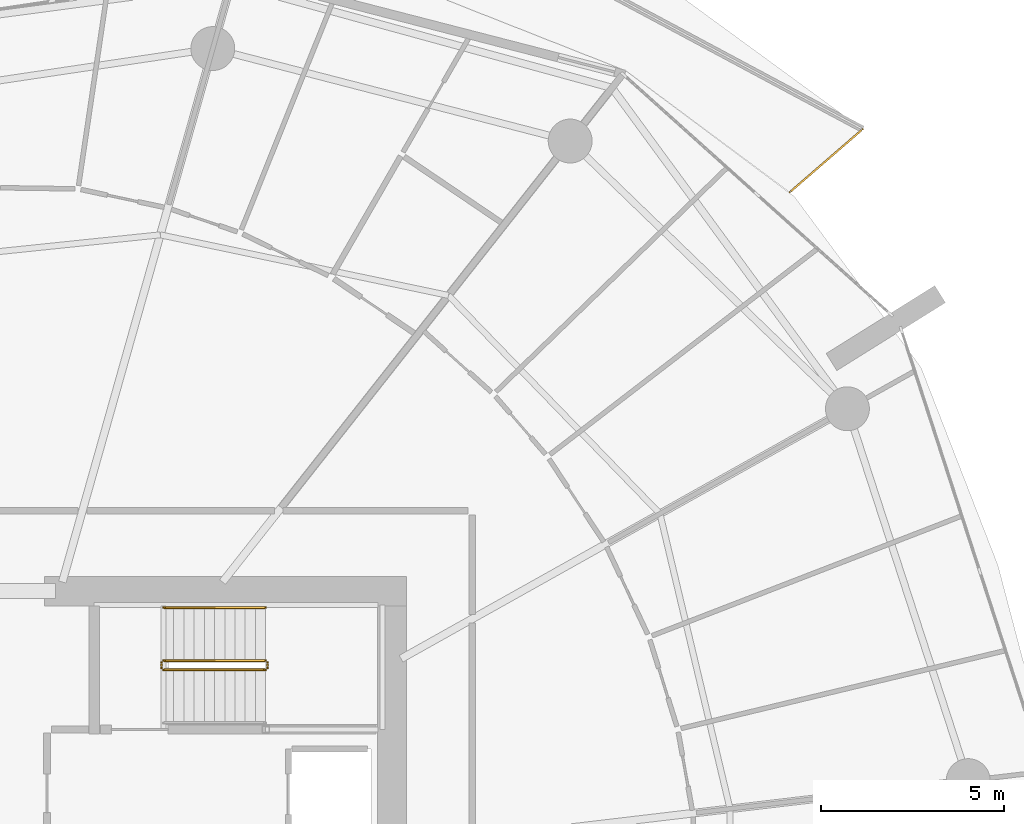
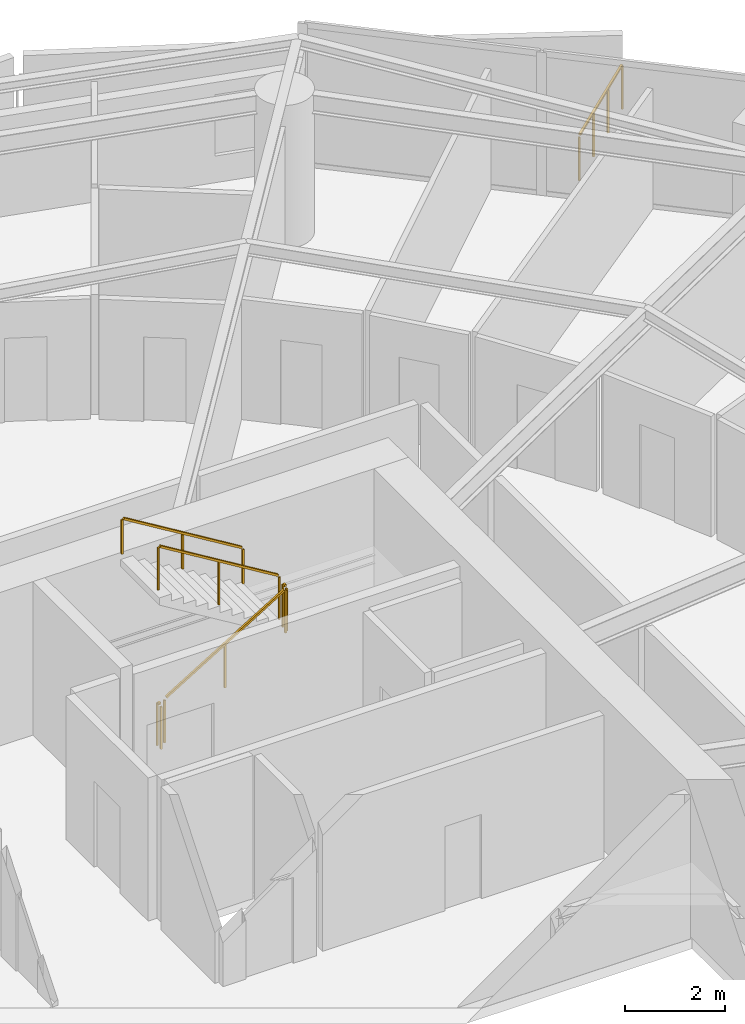
# One storey, part 22 of 23: 6 railings.
"""IFC4 building model written with IfcOpenShell, lengths in metres."""

from ifc_helpers import new_model, si_unit, direction, frame, origin, origin_2d, place, context, subcontext, project, spatial, rectangle, extrude, material, type_object, element, save


model = new_model("IFC4")

# Units and contexts
model_context = context("Model", 3, precision=1e-05, world=origin(), true_north=direction((0.0, 1.0)))
body_context = subcontext(model_context, "Body", "Model", "MODEL_VIEW")
ifc_project = project(units=[si_unit("LENGTHUNIT", "METRE"), si_unit("AREAUNIT", "SQUARE_METRE"), si_unit("VOLUMEUNIT", "CUBIC_METRE"), si_unit("PLANEANGLEUNIT", "RADIAN"), si_unit("MASSUNIT", "GRAM", prefix="KILO")], contexts=[model_context])

# Site, building, storey
site_placement = place(None, origin())
site = spatial("IfcSite", under=ifc_project, at=site_placement, CompositionType="ELEMENT")
building_placement = place(site_placement, origin())
building = spatial("IfcBuilding", under=site, at=building_placement, Name="Kazma Halo Residences", CompositionType="ELEMENT")
storey_placement = place(building_placement, frame((0.0, 0.0, 105.14990234375)))
storey = spatial("IfcBuildingStorey", under=building, at=storey_placement, Name="L26", CompositionType="ELEMENT", Elevation=105.14990234375)

# Railings
ifc_material_1 = material(Name="Aluminium AW-6063 T6 Brushed Cap Rail", Category="aluminium")
railing_type_1 = type_object("IfcRailingType", Name="RLG-BAL-CAP-1120", PredefinedType="BALUSTRADE", material=ifc_material_1)
railing_1_placement = place(storey_placement, frame((70.323974609375, 61.303466796875, 0.0)))
element("IfcRailing", 1, at=railing_1_placement, inside=storey, type_object=railing_type_1, Name="L26 NE wave balcony guard 1", PredefinedType="BALUSTRADE", context=body_context, shape_type="SweptSolid", body=[
    extrude(rectangle(XDim=0.050048828125, YDim=0.050048828125, at=origin_2d()), frame((0.0322265625, 0.02783203125, 1.09521484375), z_axis=(0.756396561771, 0.65411332454, 0.0), x_axis=(-0.65411332454, 0.756396561771, 0.0)), (0.0, 0.0, 1.0), 2.554931640625),
    extrude(rectangle(XDim=0.0400390625, YDim=0.0400390625, at=origin_2d()), origin(), (0.0, 0.0, 1.0), 1.05810546875),
    extrude(rectangle(XDim=0.0400390625, YDim=0.0400390625, at=origin_2d()), frame((0.66552734375, 0.57568359375, 0.0)), (0.0, 0.0, 1.0), 1.05810546875),
    extrude(rectangle(XDim=0.0400390625, YDim=0.0400390625, at=origin_2d()), frame((1.331298828125, 1.151123046875, 0.0)), (0.0, 0.0, 1.0), 1.05810546875),
    extrude(rectangle(XDim=0.0400390625, YDim=0.0400390625, at=origin_2d()), frame((1.996826171875, 1.726806640625, 0.0)), (0.0, 0.0, 1.0), 1.05810546875),
])
ifc_material_2 = material(Name="Painted Steel S355", Category="steel")
railing_type_2 = type_object("IfcRailingType", Name="RLG-STAIR-GRD-1100", PredefinedType="GUARDRAIL", material=ifc_material_2)
railing_2_placement = place(storey_placement, frame((53.199951171875, 48.25, 0.170654296875)))
element("IfcRailing", 2, at=railing_2_placement, inside=storey, type_object=railing_type_2, Name="L26 ST-02 stair guard 1", PredefinedType="GUARDRAIL", context=body_context, shape_type="SweptSolid", body=[
    extrude(rectangle(XDim=0.050048828125, YDim=0.050048828125, at=origin_2d()), frame((0.036376953125, 0.0, 1.09716796875), z_axis=(0.854202870247, 0.0, 0.519939858505), x_axis=(0.0, 1.0, 0.0)), (0.0, 0.0, 1.0), 3.19287109375),
    extrude(rectangle(XDim=0.0400390625, YDim=0.0400390625, at=origin_2d()), origin(), (0.0, 0.0, 1.0), 1.0380859375),
    extrude(rectangle(XDim=0.0400390625, YDim=0.0400390625, at=origin_2d()), frame((1.39990234375, 0.0, 0.85205078125)), (0.0, 0.0, 1.0), 1.0380859375),
    extrude(rectangle(XDim=0.0400390625, YDim=0.0400390625, at=origin_2d()), frame((2.800048828125, 0.0, 1.704345703125)), (0.0, 0.0, 1.0), 1.0380859375),
])
railing_3_placement = place(storey_placement, frame((56.050048828125, 48.300048828125, 1.875)))
element("IfcRailing", 3, at=railing_3_placement, inside=storey, type_object=railing_type_2, Name="L26 ST-02 stair guard 2", PredefinedType="GUARDRAIL", context=body_context, shape_type="SweptSolid", body=[
    extrude(rectangle(XDim=0.050048828125, YDim=0.050048828125, at=origin_2d()), frame((0.0, 0.04248046875, 1.0751953125), z_axis=(0.0, 1.0, 0.0), x_axis=(-1.0, 0.0, 0.0)), (0.0, 0.0, 1.0), 0.06494140625),
    extrude(rectangle(XDim=0.0400390625, YDim=0.0400390625, at=origin_2d()), origin(), (0.0, 0.0, 1.0), 1.0380859375),
    extrude(rectangle(XDim=0.0400390625, YDim=0.0400390625, at=origin_2d()), frame((0.0, 0.14990234375, 0.0)), (0.0, 0.0, 1.0), 1.0380859375),
])
railing_4_placement = place(storey_placement, frame((56.0, 48.5, 2.045654296875)))
element("IfcRailing", 4, at=railing_4_placement, inside=storey, type_object=railing_type_2, Name="L26 ST-02 stair guard 3", PredefinedType="GUARDRAIL", context=body_context, shape_type="SweptSolid", body=[
    extrude(rectangle(XDim=0.050048828125, YDim=0.050048828125, at=origin_2d()), frame((-0.036376953125, 0.0, 1.09716796875), z_axis=(-0.854202870247, 0.0, 0.519939858505), x_axis=(0.0, -1.0, 0.0)), (0.0, 0.0, 1.0), 3.19287109375),
    extrude(rectangle(XDim=0.0400390625, YDim=0.0400390625, at=origin_2d()), origin(), (0.0, 0.0, 1.0), 1.0380859375),
    extrude(rectangle(XDim=0.0400390625, YDim=0.0400390625, at=origin_2d()), frame((-1.39990234375, 0.0, 0.85205078125)), (0.0, 0.0, 1.0), 1.0380859375),
    extrude(rectangle(XDim=0.0400390625, YDim=0.0400390625, at=origin_2d()), frame((-2.800048828125, 0.0, 1.704345703125)), (0.0, 0.0, 1.0), 1.0380859375),
])
railing_5_placement = place(storey_placement, frame((53.14990234375, 48.300048828125, 0.0)))
element("IfcRailing", 5, at=railing_5_placement, inside=storey, type_object=railing_type_2, Name="L26 ST-02 stair guard 4", PredefinedType="GUARDRAIL", context=body_context, shape_type="SweptSolid", body=[
    extrude(rectangle(XDim=0.050048828125, YDim=0.050048828125, at=origin_2d()), frame((0.0, 0.04248046875, 1.0751953125), z_axis=(0.0, 1.0, 0.0), x_axis=(-1.0, 0.0, 0.0)), (0.0, 0.0, 1.0), 0.06494140625),
    extrude(rectangle(XDim=0.0400390625, YDim=0.0400390625, at=origin_2d()), origin(), (0.0, 0.0, 1.0), 1.0380859375),
    extrude(rectangle(XDim=0.0400390625, YDim=0.0400390625, at=origin_2d()), frame((0.0, 0.14990234375, 0.0)), (0.0, 0.0, 1.0), 1.0380859375),
])
ifc_material_3 = material(Name="Brushed Stainless Steel", Category="steel")
railing_type_3 = type_object("IfcRailingType", Name="RLG-STAIR-HND-900", PredefinedType="HANDRAIL", material=ifc_material_3)
railing_6_placement = place(storey_placement, frame((56.0, 49.949951171875, 2.045654296875)))
element("IfcRailing", 6, at=railing_6_placement, inside=storey, type_object=railing_type_3, Name="L26 ST-02 stair handrail 2", PredefinedType="HANDRAIL", context=body_context, shape_type="SweptSolid", body=[
    extrude(rectangle(XDim=0.050048828125, YDim=0.050048828125, at=origin_2d()), frame((-0.036376953125, 0.0, 0.89697265625), z_axis=(-0.854202870247, 0.0, 0.519939858505), x_axis=(0.0, -1.0, 0.0)), (0.0, 0.0, 1.0), 3.19287109375),
    extrude(rectangle(XDim=0.0400390625, YDim=0.0400390625, at=origin_2d()), origin(), (0.0, 0.0, 1.0), 0.837890625),
    extrude(rectangle(XDim=0.0400390625, YDim=0.0400390625, at=origin_2d()), frame((-1.39990234375, 0.0, 0.85205078125)), (0.0, 0.0, 1.0), 0.837890625),
    extrude(rectangle(XDim=0.0400390625, YDim=0.0400390625, at=origin_2d()), frame((-2.800048828125, 0.0, 1.704345703125)), (0.0, 0.0, 1.0), 0.837890625),
])

save(model, "model.ifc")
